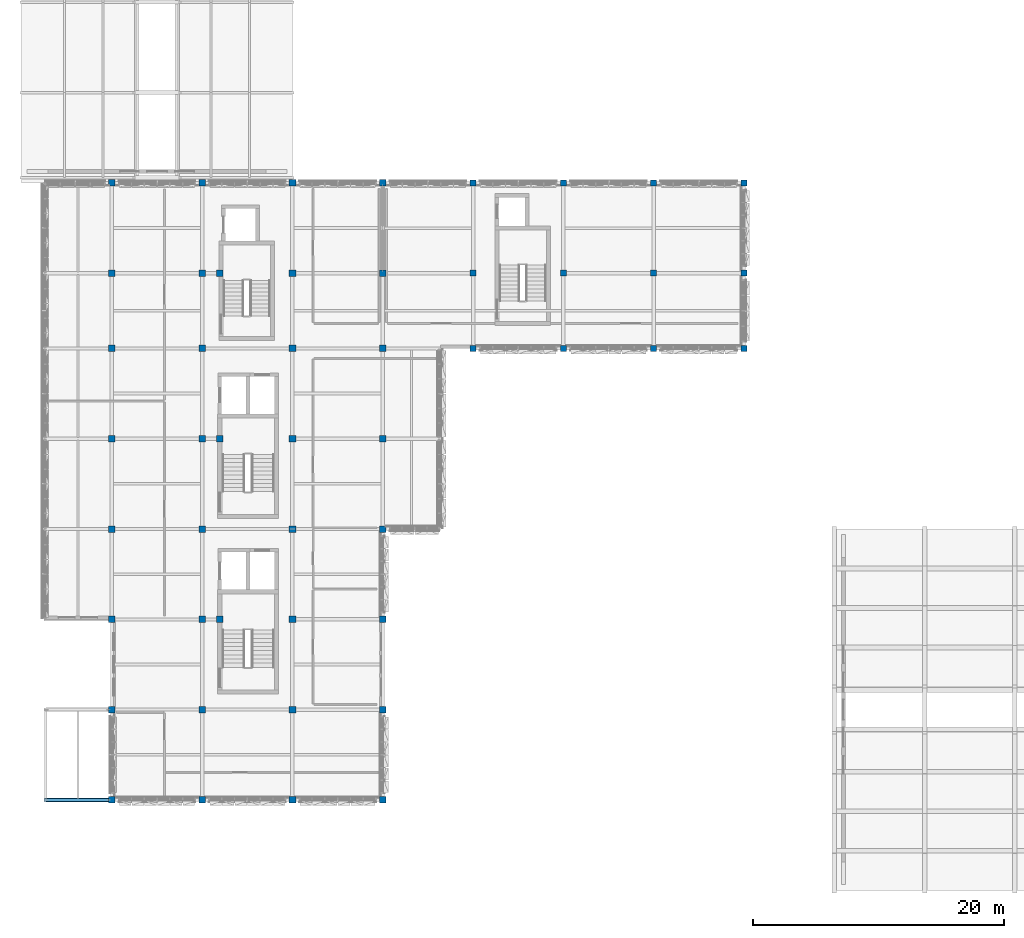
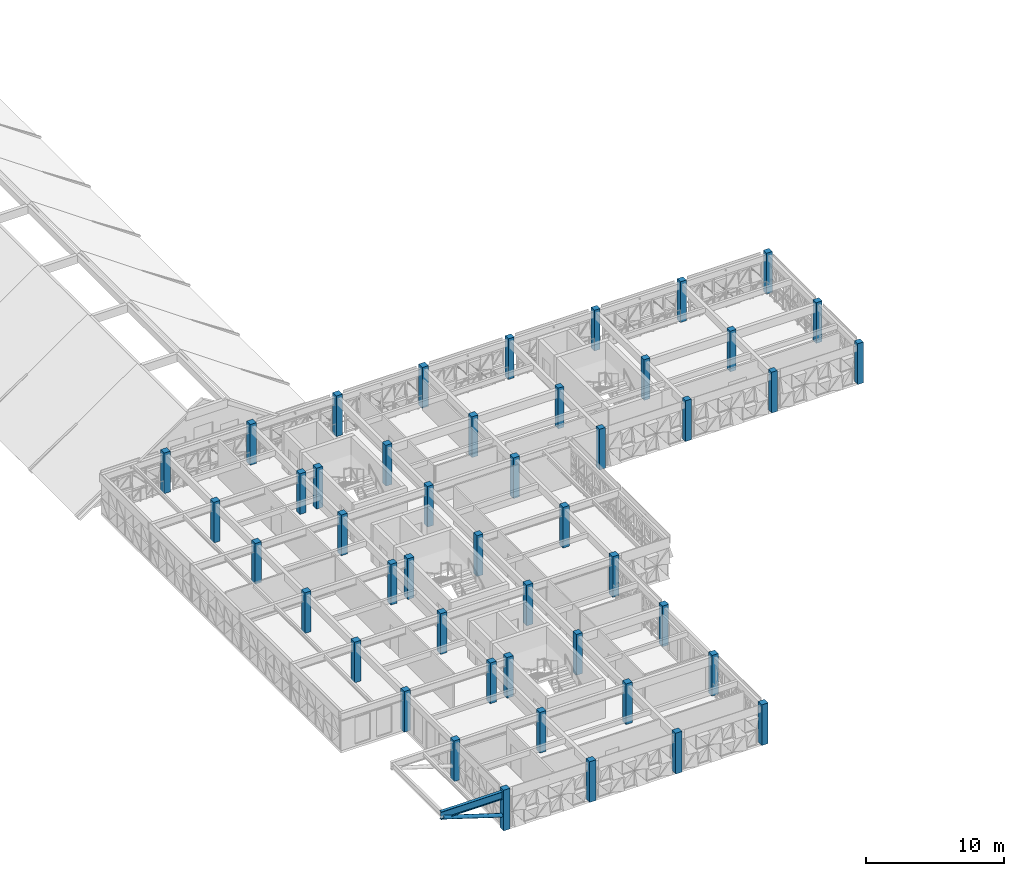
# One storey, part 1 of 48: 47 columns, 1 beam, 1 member.
"""IFC4 building model written with IfcOpenShell, lengths in metres."""

from ifc_helpers import new_model, si_unit, direction, frame, origin, origin_2d, place, context, subcontext, project, spatial, rectangle, hollow_circle, i_section, extrude, material, material_profile, profile_set, type_object, element, save


model = new_model("IFC4")

# Units and contexts
model_context = context("Model", 3, precision=1e-05, world=origin(), true_north=direction((0.0, 1.0)))
body_context = subcontext(model_context, "Body", "Model", "MODEL_VIEW")
ifc_project = project(units=[si_unit("LENGTHUNIT", "METRE"), si_unit("AREAUNIT", "SQUARE_METRE"), si_unit("VOLUMEUNIT", "CUBIC_METRE"), si_unit("PLANEANGLEUNIT", "RADIAN"), si_unit("MASSUNIT", "GRAM", prefix="KILO")], contexts=[model_context])

# Site, building, storey
site_placement = place(None, origin())
site = spatial("IfcSite", under=ifc_project, at=site_placement, CompositionType="ELEMENT")
building_placement = place(site_placement, origin())
building = spatial("IfcBuilding", under=site, at=building_placement, Name="Alvorim Cloister Faculty of Sciences", CompositionType="ELEMENT")
storey_placement = place(building_placement, frame((0.0, 0.0, 19.35009765625)))
storey = spatial("IfcBuildingStorey", under=building, at=storey_placement, Name="L05", CompositionType="ELEMENT", Elevation=19.35009765625)

# Columns
ifc_material_1 = material(Name="Glulam GL32h", Category="wood")
ifc_material_profile_1 = material_profile(ifc_material_1, rectangle(XDim=0.47998046875, YDim=0.47998046875, at=origin_2d()), Name="GL32-COL-480x480")
ifc_profile_set_1 = profile_set([ifc_material_profile_1], Name="Glulam GL32h")
column_type_1 = type_object("IfcColumnType", Name="COL-GL-480", PredefinedType="COLUMN", material=ifc_profile_set_1)
for number, where, z_axis, x_axis, name in (
    (1, (36.0, 43.199951171875, 0.0), (0.0, 0.0, 1.0), (1.0, 0.0, 0.0), "L05 Column COL-0981"),
    (2, (36.0, 49.199951171875, 0.0), (0.0, 0.0, 1.0), (1.0, 0.0, 0.0), "L05 Column COL-0982"),
    (3, (36.0, 56.39990234375, 0.0), (0.0, 0.0, 1.0), (1.0, 0.0, 0.0), "L05 Column COL-0983"),
    (4, (43.199951171875, 43.199951171875, 0.0), (0.0, 0.0, 1.0), (1.0, 0.0, 0.0), "L05 Column COL-0984"),
    (5, (43.199951171875, 49.199951171875, 0.0), (0.0, 0.0, 1.0), (1.0, 0.0, 0.0), "L05 Column COL-0985"),
    (6, (43.199951171875, 56.39990234375, 0.0), (0.0, 0.0, 1.0), (1.0, 0.0, 0.0), "L05 Column COL-0986"),
    (7, (50.39990234375, 43.199951171875, 0.0), (0.0, 0.0, 1.0), (1.0, 0.0, 0.0), "L05 Column COL-0987"),
    (8, (50.39990234375, 49.199951171875, 0.0), (0.0, 0.0, 1.0), (1.0, 0.0, 0.0), "L05 Column COL-0988"),
    (9, (50.39990234375, 56.39990234375, 0.0), (0.0, 0.0, 1.0), (1.0, 0.0, 0.0), "L05 Column COL-0989"),
    (10, (57.60009765625, 43.199951171875, 0.0), (0.0, 0.0, 1.0), (1.0, 0.0, 0.0), "L05 Column COL-0990"),
    (11, (57.60009765625, 49.199951171875, 0.0), (0.0, 0.0, 1.0), (1.0, 0.0, 0.0), "L05 Column COL-0991"),
    (12, (57.60009765625, 56.39990234375, 0.0), (0.0, 0.0, 1.0), (1.0, 0.0, 0.0), "L05 Column COL-0992"),
):
    element("IfcColumn", number, at=place(storey_placement, frame(where, z_axis=z_axis, x_axis=x_axis)), inside=storey, type_object=column_type_1, Name=name, PredefinedType="COLUMN", context=body_context, shape_type="SweptSolid", body=[
        extrude(rectangle(XDim=0.47998046875, YDim=0.47998046875, at=origin_2d()), origin(), (0.0, 0.0, 1.0), 3.599853515625),
    ])
ifc_material_profile_2 = material_profile(ifc_material_1, rectangle(XDim=0.52001953125, YDim=0.52001953125, at=origin_2d()), Name="GL32-COL-520x520")
ifc_profile_set_2 = profile_set([ifc_material_profile_2], Name="Glulam GL32h")
column_type_2 = type_object("IfcColumnType", Name="COL-GL-520", PredefinedType="COLUMN", material=ifc_profile_set_2)
for number, where, z_axis, x_axis, name in (
    (13, (7.199951171875, 7.199951171875, 0.0), (0.0, 0.0, 1.0), (1.0, 0.0, 0.0), "L05 Column COL-0946"),
    (14, (7.199951171875, 14.39990234375, 0.0), (0.0, 0.0, 1.0), (1.0, 0.0, 0.0), "L05 Column COL-0947"),
    (15, (7.199951171875, 21.60009765625, 0.0), (0.0, 0.0, 1.0), (1.0, 0.0, 0.0), "L05 Column COL-0948"),
    (16, (7.199951171875, 28.800048828125, 0.0), (0.0, 0.0, 1.0), (1.0, 0.0, 0.0), "L05 Column COL-0949"),
    (17, (7.199951171875, 36.0, 0.0), (0.0, 0.0, 1.0), (1.0, 0.0, 0.0), "L05 Column COL-0950"),
    (18, (7.199951171875, 43.199951171875, 0.0), (0.0, 0.0, 1.0), (1.0, 0.0, 0.0), "L05 Column COL-0951"),
    (19, (7.199951171875, 49.199951171875, 0.0), (0.0, 0.0, 1.0), (1.0, 0.0, 0.0), "L05 Column COL-0952"),
    (20, (7.199951171875, 56.39990234375, 0.0), (0.0, 0.0, 1.0), (1.0, 0.0, 0.0), "L05 Column COL-0953"),
    (21, (14.39990234375, 7.199951171875, 0.0), (0.0, 0.0, 1.0), (1.0, 0.0, 0.0), "L05 Column COL-0954"),
    (22, (14.39990234375, 14.39990234375, 0.0), (0.0, 0.0, 1.0), (1.0, 0.0, 0.0), "L05 Column COL-0955"),
    (23, (14.39990234375, 21.60009765625, 0.0), (0.0, 0.0, 1.0), (1.0, 0.0, 0.0), "L05 Column COL-0956"),
    (24, (14.39990234375, 28.800048828125, 0.0), (0.0, 0.0, 1.0), (1.0, 0.0, 0.0), "L05 Column COL-0957"),
    (25, (14.39990234375, 36.0, 0.0), (0.0, 0.0, 1.0), (1.0, 0.0, 0.0), "L05 Column COL-0958"),
    (26, (14.39990234375, 43.199951171875, 0.0), (0.0, 0.0, 1.0), (1.0, 0.0, 0.0), "L05 Column COL-0959"),
    (27, (14.39990234375, 49.199951171875, 0.0), (0.0, 0.0, 1.0), (1.0, 0.0, 0.0), "L05 Column COL-0960"),
    (28, (14.39990234375, 56.39990234375, 0.0), (0.0, 0.0, 1.0), (1.0, 0.0, 0.0), "L05 Column COL-0961"),
    (29, (15.800048828125, 21.60009765625, 0.0), (0.0, 0.0, 1.0), (1.0, 0.0, 0.0), "L05 Column COL-0962"),
    (30, (15.800048828125, 36.0, 0.0), (0.0, 0.0, 1.0), (1.0, 0.0, 0.0), "L05 Column COL-0963"),
    (31, (15.800048828125, 49.199951171875, 0.0), (0.0, 0.0, 1.0), (1.0, 0.0, 0.0), "L05 Column COL-0964"),
    (32, (21.60009765625, 7.199951171875, 0.0), (0.0, 0.0, 1.0), (1.0, 0.0, 0.0), "L05 Column COL-0965"),
    (33, (21.60009765625, 14.39990234375, 0.0), (0.0, 0.0, 1.0), (1.0, 0.0, 0.0), "L05 Column COL-0966"),
    (34, (21.60009765625, 21.60009765625, 0.0), (0.0, 0.0, 1.0), (1.0, 0.0, 0.0), "L05 Column COL-0967"),
    (35, (21.60009765625, 28.800048828125, 0.0), (0.0, 0.0, 1.0), (1.0, 0.0, 0.0), "L05 Column COL-0968"),
    (36, (21.60009765625, 36.0, 0.0), (0.0, 0.0, 1.0), (1.0, 0.0, 0.0), "L05 Column COL-0969"),
    (37, (21.60009765625, 43.199951171875, 0.0), (0.0, 0.0, 1.0), (1.0, 0.0, 0.0), "L05 Column COL-0970"),
    (38, (21.60009765625, 49.199951171875, 0.0), (0.0, 0.0, 1.0), (1.0, 0.0, 0.0), "L05 Column COL-0971"),
    (39, (21.60009765625, 56.39990234375, 0.0), (0.0, 0.0, 1.0), (1.0, 0.0, 0.0), "L05 Column COL-0972"),
    (40, (28.800048828125, 7.199951171875, 0.0), (0.0, 0.0, 1.0), (1.0, 0.0, 0.0), "L05 Column COL-0973"),
    (41, (28.800048828125, 14.39990234375, 0.0), (0.0, 0.0, 1.0), (1.0, 0.0, 0.0), "L05 Column COL-0974"),
    (42, (28.800048828125, 21.60009765625, 0.0), (0.0, 0.0, 1.0), (1.0, 0.0, 0.0), "L05 Column COL-0975"),
    (43, (28.800048828125, 28.800048828125, 0.0), (0.0, 0.0, 1.0), (1.0, 0.0, 0.0), "L05 Column COL-0976"),
    (44, (28.800048828125, 36.0, 0.0), (0.0, 0.0, 1.0), (1.0, 0.0, 0.0), "L05 Column COL-0977"),
    (45, (28.800048828125, 43.199951171875, 0.0), (0.0, 0.0, 1.0), (1.0, 0.0, 0.0), "L05 Column COL-0978"),
    (46, (28.800048828125, 49.199951171875, 0.0), (0.0, 0.0, 1.0), (1.0, 0.0, 0.0), "L05 Column COL-0979"),
    (47, (28.800048828125, 56.39990234375, 0.0), (0.0, 0.0, 1.0), (1.0, 0.0, 0.0), "L05 Column COL-0980"),
):
    element("IfcColumn", number, at=place(storey_placement, frame(where, z_axis=z_axis, x_axis=x_axis)), inside=storey, type_object=column_type_2, Name=name, PredefinedType="COLUMN", context=body_context, shape_type="SweptSolid", body=[
        extrude(rectangle(XDim=0.52001953125, YDim=0.52001953125, at=origin_2d()), origin(), (0.0, 0.0, 1.0), 3.599853515625),
    ])

# Beam
ifc_material_2 = material(Name="Steel ASTM A572 Grade 50", Category="steel")
ifc_material_profile_3 = material_profile(ifc_material_2, i_section(OverallWidth=0.25390625, OverallDepth=0.68408203125, WebThickness=0.012451171875, FlangeThickness=0.01904296875, FilletRadius=0.01904296875, at=origin_2d()), Name="W690x140.0")
ifc_profile_set_3 = profile_set([ifc_material_profile_3], Name="Steel ASTM A572 Grade 50")
beam_type = type_object("IfcBeamType", Name="BM-STL-W690", PredefinedType="BEAM", material=ifc_profile_set_3)
beam_placement = place(storey_placement, frame((1.800048828125, 7.199951171875, 3.0478515625), z_axis=(1.0, 0.0, 0.0), x_axis=(0.0, 1.0, 0.0)))
element("IfcBeam", 48, at=beam_placement, inside=storey, type_object=beam_type, Name="L05 Cantilever Overhang Girder BM-0152", PredefinedType="BEAM", context=body_context, shape_type="SweptSolid", body=[
    extrude(i_section(OverallWidth=0.25390625, OverallDepth=0.68408203125, WebThickness=0.012451171875, FlangeThickness=0.01904296875, FilletRadius=0.01904296875, at=origin_2d()), origin(), (0.0, 0.0, 1.0), 5.139892578125),
])

# Member
ifc_material_profile_4 = material_profile(ifc_material_2, hollow_circle(Radius=0.161865234375, WallThickness=0.012451171875, at=origin_2d()), Name="CHS323.9x12.5")
ifc_profile_set_4 = profile_set([ifc_material_profile_4], Name="Steel ASTM A572 Grade 50")
member_type = type_object("IfcMemberType", Name="MB-BRC-CHS323", PredefinedType="BRACE", material=ifc_profile_set_4)
member_placement = place(storey_placement, frame((6.919921875, 7.199951171875, 1.25), z_axis=(-0.953591924127, 0.0, 0.301102046222), x_axis=(0.0, -1.0, 0.0)))
element("IfcMember", 49, at=member_placement, inside=storey, type_object=member_type, Name="L05 Cantilever Raker Strut MB-0015", PredefinedType="BRACE", context=body_context, shape_type="SweptSolid", body=[
    extrude(hollow_circle(Radius=0.161865234375, WallThickness=0.012451171875, at=origin_2d()), origin(), (0.0, 0.0, 1.0), 5.180419921875),
])

save(model, "model.ifc")
